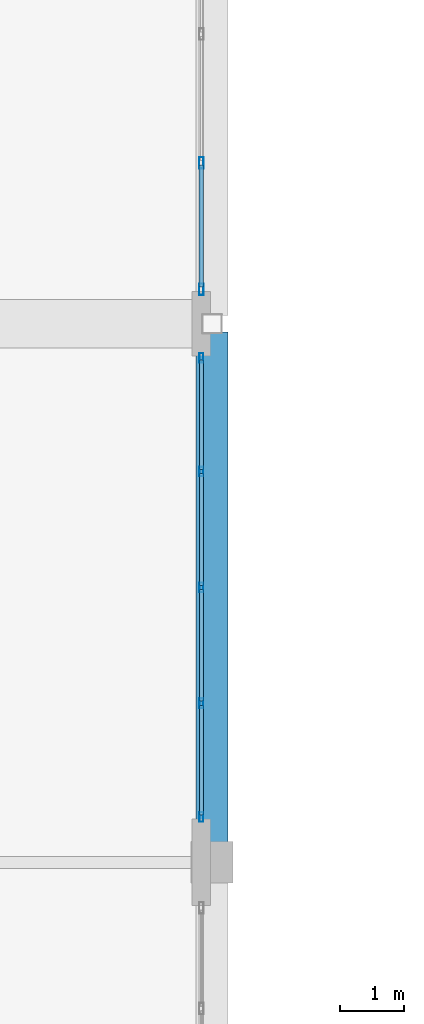
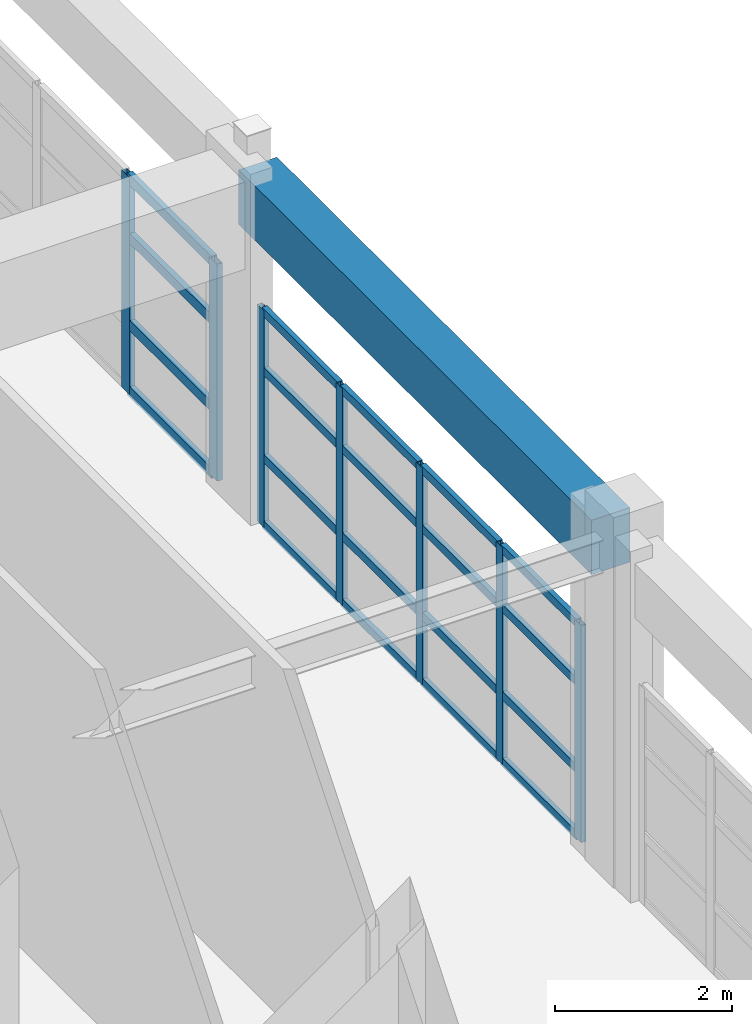
# One storey, part 21 of 78: 27 members, 1 beam, 2 elements without a shape of their own.
"""IFC4 building model written with IfcOpenShell, lengths in metres."""

from ifc_helpers import new_model, si_unit, direction, frame, origin, origin_2d, place, context, subcontext, project, spatial, rectangle, hollow_rectangle, extrude, material, layer, layer_set, material_profile, profile_set, type_object, element, aggregate, save


model = new_model("IFC4")

# Units and contexts
model_context = context("Model", 3, precision=1e-05, world=origin(), true_north=direction((0.0, 1.0)))
body_context = subcontext(model_context, "Body", "Model", "MODEL_VIEW")
ifc_project = project(units=[si_unit("LENGTHUNIT", "METRE"), si_unit("AREAUNIT", "SQUARE_METRE"), si_unit("VOLUMEUNIT", "CUBIC_METRE"), si_unit("PLANEANGLEUNIT", "RADIAN"), si_unit("MASSUNIT", "GRAM", prefix="KILO")], contexts=[model_context])

# Site, building, storey
site_placement = place(None, origin())
site = spatial("IfcSite", under=ifc_project, at=site_placement, CompositionType="ELEMENT")
building_placement = place(site_placement, origin())
building = spatial("IfcBuilding", under=site, at=building_placement, Name="Quendrovan Civic Courthouse", CompositionType="ELEMENT")
storey_placement = place(building_placement, frame((0.0, 0.0, 20.39990234375)))
storey = spatial("IfcBuildingStorey", under=building, at=storey_placement, Name="L05", CompositionType="ELEMENT", Elevation=20.39990234375)

# Beam
ifc_material_1 = material(Name="Concrete C40/50", Category="concrete")
ifc_material_profile_1 = material_profile(ifc_material_1, rectangle(XDim=0.5, YDim=0.75, at=origin_2d()), Name="RC-BM-500x750")
ifc_profile_set_1 = profile_set([ifc_material_profile_1], Name="Concrete C40/50")
beam_type = type_object("IfcBeamType", Name="BM-RC750", PredefinedType="SPANDREL", material=ifc_profile_set_1)
beam_placement = place(storey_placement, frame((16.800048828125, 65.10498046875, 4.28515625), z_axis=(0.0, 1.0, 0.0), x_axis=(-1.0, 0.0, 0.0)))
element("IfcBeam", 1, at=beam_placement, inside=storey, type_object=beam_type, Name="L05 Girder Y1070", PredefinedType="SPANDREL", context=body_context, shape_type="SweptSolid", body=[
    extrude(rectangle(XDim=0.5, YDim=0.75, at=origin_2d()), origin(), (0.0, 0.0, 1.0), 7.965087890625),
])

# Curtain wall, members
ifc_material_2 = material(Name="Bronze anodised aluminium and low-E glass", Category="aluminium")
ifc_layer_1 = layer(ifc_material_2, 0.179931640625, Name="Bronze anodised aluminium and low-E glass")
ifc_layer_set_1 = layer_set([ifc_layer_1], Name="Bronze anodised aluminium and low-E glass")
curtain_wall_type_1 = type_object("IfcCurtainWallType", Name="CW-U60x30", PredefinedType="USERDEFINED", material=ifc_layer_set_1)
curtain_wall_1_placement = place(storey_placement, origin())
curtain_wall_1 = element("IfcCurtainWall", 2, at=curtain_wall_1_placement, inside=storey, type_object=curtain_wall_type_1, Name="L05 Unitised Hurricane Curtain Wall CW-182", ObjectType="UNITISED CURTAIN WALL", PredefinedType="USERDEFINED")
ifc_material_3 = material(Name="Bronze anodised aluminium", Category="aluminium")
ifc_material_profile_2 = material_profile(ifc_material_3, hollow_rectangle(XDim=0.070068359375, YDim=0.179931640625, WallThickness=0.00390625, at=origin_2d()), Name="CW-MULL-70x180")
ifc_profile_set_2 = profile_set([ifc_material_profile_2], Name="Bronze anodised aluminium")
member_type_1 = type_object("IfcMemberType", Name="CW-MULL-A", PredefinedType="MULLION", material=ifc_profile_set_2)
member_1_placement = place(storey_placement, frame((16.635009765625, 75.708251953125, 0.0), z_axis=(0.0, 0.0, 1.0), x_axis=(1.0, 0.0, 0.0)))
member_1 = element("IfcMember", 3, at=member_1_placement, type_object=member_type_1, Name="CW-182 mullion 3", PredefinedType="MULLION", context=body_context, shape_type="SweptSolid", body=[
    extrude(hollow_rectangle(XDim=0.070068359375, YDim=0.179931640625, WallThickness=0.00390625, at=origin_2d()), origin(), (0.0, 0.0, 1.0), 2.989990234375),
])
member_2_placement = place(storey_placement, frame((16.635009765625, 73.735107421875, 0.0), z_axis=(0.0, 0.0, 1.0), x_axis=(1.0, 0.0, 0.0)))
member_2 = element("IfcMember", 4, at=member_2_placement, type_object=member_type_1, Name="CW-182 mullion 4", PredefinedType="MULLION", context=body_context, shape_type="SweptSolid", body=[
    extrude(hollow_rectangle(XDim=0.070068359375, YDim=0.179931640625, WallThickness=0.00390625, at=origin_2d()), origin(), (0.0, 0.0, 1.0), 2.989990234375),
])

ifc_layer_2 = layer(ifc_material_2, 0.179931640625, Name="Bronze anodised aluminium and low-E glass")
ifc_layer_set_2 = layer_set([ifc_layer_2], Name="Bronze anodised aluminium and low-E glass")
curtain_wall_type_2 = type_object("IfcCurtainWallType", Name="CW-U72x30", PredefinedType="USERDEFINED", material=ifc_layer_set_2)
curtain_wall_2_placement = place(storey_placement, origin())
curtain_wall_2 = element("IfcCurtainWall", 5, at=curtain_wall_2_placement, inside=storey, type_object=curtain_wall_type_2, Name="L05 Unitised Hurricane Curtain Wall CW-183", ObjectType="UNITISED CURTAIN WALL", PredefinedType="USERDEFINED")
ifc_material_profile_3 = material_profile(ifc_material_3, hollow_rectangle(XDim=0.06494140625, YDim=0.14990234375, WallThickness=0.00390625, at=origin_2d()), Name="CW-MULL-65x150")
ifc_profile_set_3 = profile_set([ifc_material_profile_3], Name="Bronze anodised aluminium")
member_type_2 = type_object("IfcMemberType", Name="CW-MULL-B", PredefinedType="MULLION", material=ifc_profile_set_3)
member_3_placement = place(storey_placement, frame((16.635009765625, 72.66748046875, 0.0), z_axis=(0.0, 0.0, 1.0), x_axis=(1.0, 0.0, 0.0)))
member_3 = element("IfcMember", 6, at=member_3_placement, type_object=member_type_2, Name="CW-183 mullion 1", PredefinedType="MULLION", context=body_context, shape_type="SweptSolid", body=[
    extrude(hollow_rectangle(XDim=0.06494140625, YDim=0.14990234375, WallThickness=0.00390625, at=origin_2d()), origin(), (0.0, 0.0, 1.0), 2.989990234375),
])
member_4_placement = place(storey_placement, frame((16.635009765625, 70.893798828125, 0.0), z_axis=(0.0, 0.0, 1.0), x_axis=(1.0, 0.0, 0.0)))
member_4 = element("IfcMember", 7, at=member_4_placement, type_object=member_type_2, Name="CW-183 mullion 2", PredefinedType="MULLION", context=body_context, shape_type="SweptSolid", body=[
    extrude(hollow_rectangle(XDim=0.06494140625, YDim=0.14990234375, WallThickness=0.00390625, at=origin_2d()), origin(), (0.0, 0.0, 1.0), 2.989990234375),
])
member_5_placement = place(storey_placement, frame((16.635009765625, 69.08740234375, 0.0), z_axis=(0.0, 0.0, 1.0), x_axis=(1.0, 0.0, 0.0)))
member_5 = element("IfcMember", 8, at=member_5_placement, type_object=member_type_2, Name="CW-183 mullion 3", PredefinedType="MULLION", context=body_context, shape_type="SweptSolid", body=[
    extrude(hollow_rectangle(XDim=0.06494140625, YDim=0.14990234375, WallThickness=0.00390625, at=origin_2d()), origin(), (0.0, 0.0, 1.0), 2.989990234375),
])
member_6_placement = place(storey_placement, frame((16.635009765625, 67.28125, 0.0), z_axis=(0.0, 0.0, 1.0), x_axis=(1.0, 0.0, 0.0)))
member_6 = element("IfcMember", 9, at=member_6_placement, type_object=member_type_2, Name="CW-183 mullion 4", PredefinedType="MULLION", context=body_context, shape_type="SweptSolid", body=[
    extrude(hollow_rectangle(XDim=0.06494140625, YDim=0.14990234375, WallThickness=0.00390625, at=origin_2d()), origin(), (0.0, 0.0, 1.0), 2.989990234375),
])
member_7_placement = place(storey_placement, frame((16.635009765625, 65.507568359375, 0.0), z_axis=(0.0, 0.0, 1.0), x_axis=(1.0, 0.0, 0.0)))
member_7 = element("IfcMember", 10, at=member_7_placement, type_object=member_type_2, Name="CW-183 mullion 5", PredefinedType="MULLION", context=body_context, shape_type="SweptSolid", body=[
    extrude(hollow_rectangle(XDim=0.06494140625, YDim=0.14990234375, WallThickness=0.00390625, at=origin_2d()), origin(), (0.0, 0.0, 1.0), 2.989990234375),
])

# Member
ifc_material_profile_4 = material_profile(ifc_material_3, hollow_rectangle(XDim=0.070068359375, YDim=0.139892578125, WallThickness=0.00390625, at=origin_2d()), Name="CW-TRAN-70x140")
ifc_profile_set_4 = profile_set([ifc_material_profile_4], Name="Bronze anodised aluminium")
member_type_3 = type_object("IfcMemberType", Name="CW-TRAN-A", PredefinedType="USERDEFINED", material=ifc_profile_set_4)
member_8_placement = place(storey_placement, frame((16.635009765625, 75.67333984375, 0.03515625), z_axis=(0.0, -1.0, 0.0), x_axis=(1.0, 0.0, 0.0)))
member_8 = element("IfcMember", 11, at=member_8_placement, type_object=member_type_3, Name="CW-182 transom 3.1", ObjectType="TRANSOM", PredefinedType="USERDEFINED", context=body_context, shape_type="SweptSolid", body=[
    extrude(hollow_rectangle(XDim=0.070068359375, YDim=0.139892578125, WallThickness=0.00390625, at=origin_2d()), origin(), (0.0, 0.0, 1.0), 1.9033203125),
])

member_9_placement = place(storey_placement, frame((16.635009765625, 75.67333984375, 0.9501953125), z_axis=(0.0, -1.0, 0.0), x_axis=(1.0, 0.0, 0.0)))
member_9 = element("IfcMember", 12, at=member_9_placement, type_object=member_type_3, Name="CW-182 transom 3.2", ObjectType="TRANSOM", PredefinedType="USERDEFINED", context=body_context, shape_type="SweptSolid", body=[
    extrude(hollow_rectangle(XDim=0.070068359375, YDim=0.139892578125, WallThickness=0.00390625, at=origin_2d()), origin(), (0.0, 0.0, 1.0), 1.9033203125),
])

member_10_placement = place(storey_placement, frame((16.635009765625, 75.67333984375, 2.150146484375), z_axis=(0.0, -1.0, 0.0), x_axis=(1.0, 0.0, 0.0)))
member_10 = element("IfcMember", 13, at=member_10_placement, type_object=member_type_3, Name="CW-182 transom 3.3", ObjectType="TRANSOM", PredefinedType="USERDEFINED", context=body_context, shape_type="SweptSolid", body=[
    extrude(hollow_rectangle(XDim=0.070068359375, YDim=0.139892578125, WallThickness=0.00390625, at=origin_2d()), origin(), (0.0, 0.0, 1.0), 1.9033203125),
])

member_11_placement = place(storey_placement, frame((16.635009765625, 75.67333984375, 2.955078125), z_axis=(0.0, -1.0, 0.0), x_axis=(1.0, 0.0, 0.0)))
member_11 = element("IfcMember", 14, at=member_11_placement, type_object=member_type_3, Name="CW-182 transom 3.4", ObjectType="TRANSOM", PredefinedType="USERDEFINED", context=body_context, shape_type="SweptSolid", body=[
    extrude(hollow_rectangle(XDim=0.070068359375, YDim=0.139892578125, WallThickness=0.00390625, at=origin_2d()), origin(), (0.0, 0.0, 1.0), 1.9033203125),
])

aggregate(curtain_wall_1, [member_1, member_2, member_8, member_9, member_10, member_11])

ifc_material_profile_5 = material_profile(ifc_material_3, hollow_rectangle(XDim=0.06494140625, YDim=0.114990234375, WallThickness=0.00390625, at=origin_2d()), Name="CW-TRAN-65x115")
ifc_profile_set_5 = profile_set([ifc_material_profile_5], Name="Bronze anodised aluminium")
member_type_4 = type_object("IfcMemberType", Name="CW-TRAN-B", PredefinedType="USERDEFINED", material=ifc_profile_set_5)
member_12_placement = place(storey_placement, frame((16.635009765625, 72.635009765625, 0.03271484375), z_axis=(0.0, -1.0, 0.0), x_axis=(1.0, 0.0, 0.0)))
member_12 = element("IfcMember", 15, at=member_12_placement, type_object=member_type_4, Name="CW-183 transom 1.1", ObjectType="TRANSOM", PredefinedType="USERDEFINED", context=body_context, shape_type="SweptSolid", body=[
    extrude(hollow_rectangle(XDim=0.06494140625, YDim=0.114990234375, WallThickness=0.00390625, at=origin_2d()), origin(), (0.0, 0.0, 1.0), 1.708740234375),
])

member_13_placement = place(storey_placement, frame((16.635009765625, 72.635009765625, 0.9501953125), z_axis=(0.0, -1.0, 0.0), x_axis=(1.0, 0.0, 0.0)))
member_13 = element("IfcMember", 16, at=member_13_placement, type_object=member_type_4, Name="CW-183 transom 1.2", ObjectType="TRANSOM", PredefinedType="USERDEFINED", context=body_context, shape_type="SweptSolid", body=[
    extrude(hollow_rectangle(XDim=0.06494140625, YDim=0.114990234375, WallThickness=0.00390625, at=origin_2d()), origin(), (0.0, 0.0, 1.0), 1.708740234375),
])

member_14_placement = place(storey_placement, frame((16.635009765625, 72.635009765625, 2.150146484375), z_axis=(0.0, -1.0, 0.0), x_axis=(1.0, 0.0, 0.0)))
member_14 = element("IfcMember", 17, at=member_14_placement, type_object=member_type_4, Name="CW-183 transom 1.3", ObjectType="TRANSOM", PredefinedType="USERDEFINED", context=body_context, shape_type="SweptSolid", body=[
    extrude(hollow_rectangle(XDim=0.06494140625, YDim=0.114990234375, WallThickness=0.00390625, at=origin_2d()), origin(), (0.0, 0.0, 1.0), 1.708740234375),
])

member_15_placement = place(storey_placement, frame((16.635009765625, 72.635009765625, 2.95751953125), z_axis=(0.0, -1.0, 0.0), x_axis=(1.0, 0.0, 0.0)))
member_15 = element("IfcMember", 18, at=member_15_placement, type_object=member_type_4, Name="CW-183 transom 1.4", ObjectType="TRANSOM", PredefinedType="USERDEFINED", context=body_context, shape_type="SweptSolid", body=[
    extrude(hollow_rectangle(XDim=0.06494140625, YDim=0.114990234375, WallThickness=0.00390625, at=origin_2d()), origin(), (0.0, 0.0, 1.0), 1.708740234375),
])

member_16_placement = place(storey_placement, frame((16.635009765625, 70.861328125, 0.03271484375), z_axis=(0.0, -1.0, 0.0), x_axis=(1.0, 0.0, 0.0)))
member_16 = element("IfcMember", 19, at=member_16_placement, type_object=member_type_4, Name="CW-183 transom 2.1", ObjectType="TRANSOM", PredefinedType="USERDEFINED", context=body_context, shape_type="SweptSolid", body=[
    extrude(hollow_rectangle(XDim=0.06494140625, YDim=0.114990234375, WallThickness=0.00390625, at=origin_2d()), origin(), (0.0, 0.0, 1.0), 1.7412109375),
])

member_17_placement = place(storey_placement, frame((16.635009765625, 70.861328125, 0.9501953125), z_axis=(0.0, -1.0, 0.0), x_axis=(1.0, 0.0, 0.0)))
member_17 = element("IfcMember", 20, at=member_17_placement, type_object=member_type_4, Name="CW-183 transom 2.2", ObjectType="TRANSOM", PredefinedType="USERDEFINED", context=body_context, shape_type="SweptSolid", body=[
    extrude(hollow_rectangle(XDim=0.06494140625, YDim=0.114990234375, WallThickness=0.00390625, at=origin_2d()), origin(), (0.0, 0.0, 1.0), 1.7412109375),
])

member_18_placement = place(storey_placement, frame((16.635009765625, 70.861328125, 2.150146484375), z_axis=(0.0, -1.0, 0.0), x_axis=(1.0, 0.0, 0.0)))
member_18 = element("IfcMember", 21, at=member_18_placement, type_object=member_type_4, Name="CW-183 transom 2.3", ObjectType="TRANSOM", PredefinedType="USERDEFINED", context=body_context, shape_type="SweptSolid", body=[
    extrude(hollow_rectangle(XDim=0.06494140625, YDim=0.114990234375, WallThickness=0.00390625, at=origin_2d()), origin(), (0.0, 0.0, 1.0), 1.7412109375),
])

member_19_placement = place(storey_placement, frame((16.635009765625, 70.861328125, 2.95751953125), z_axis=(0.0, -1.0, 0.0), x_axis=(1.0, 0.0, 0.0)))
member_19 = element("IfcMember", 22, at=member_19_placement, type_object=member_type_4, Name="CW-183 transom 2.4", ObjectType="TRANSOM", PredefinedType="USERDEFINED", context=body_context, shape_type="SweptSolid", body=[
    extrude(hollow_rectangle(XDim=0.06494140625, YDim=0.114990234375, WallThickness=0.00390625, at=origin_2d()), origin(), (0.0, 0.0, 1.0), 1.7412109375),
])

member_20_placement = place(storey_placement, frame((16.635009765625, 69.054931640625, 0.03271484375), z_axis=(0.0, -1.0, 0.0), x_axis=(1.0, 0.0, 0.0)))
member_20 = element("IfcMember", 23, at=member_20_placement, type_object=member_type_4, Name="CW-183 transom 3.1", ObjectType="TRANSOM", PredefinedType="USERDEFINED", context=body_context, shape_type="SweptSolid", body=[
    extrude(hollow_rectangle(XDim=0.06494140625, YDim=0.114990234375, WallThickness=0.00390625, at=origin_2d()), origin(), (0.0, 0.0, 1.0), 1.7412109375),
])

member_21_placement = place(storey_placement, frame((16.635009765625, 69.054931640625, 0.9501953125), z_axis=(0.0, -1.0, 0.0), x_axis=(1.0, 0.0, 0.0)))
member_21 = element("IfcMember", 24, at=member_21_placement, type_object=member_type_4, Name="CW-183 transom 3.2", ObjectType="TRANSOM", PredefinedType="USERDEFINED", context=body_context, shape_type="SweptSolid", body=[
    extrude(hollow_rectangle(XDim=0.06494140625, YDim=0.114990234375, WallThickness=0.00390625, at=origin_2d()), origin(), (0.0, 0.0, 1.0), 1.7412109375),
])

member_22_placement = place(storey_placement, frame((16.635009765625, 69.054931640625, 2.150146484375), z_axis=(0.0, -1.0, 0.0), x_axis=(1.0, 0.0, 0.0)))
member_22 = element("IfcMember", 25, at=member_22_placement, type_object=member_type_4, Name="CW-183 transom 3.3", ObjectType="TRANSOM", PredefinedType="USERDEFINED", context=body_context, shape_type="SweptSolid", body=[
    extrude(hollow_rectangle(XDim=0.06494140625, YDim=0.114990234375, WallThickness=0.00390625, at=origin_2d()), origin(), (0.0, 0.0, 1.0), 1.7412109375),
])

member_23_placement = place(storey_placement, frame((16.635009765625, 69.054931640625, 2.95751953125), z_axis=(0.0, -1.0, 0.0), x_axis=(1.0, 0.0, 0.0)))
member_23 = element("IfcMember", 26, at=member_23_placement, type_object=member_type_4, Name="CW-183 transom 3.4", ObjectType="TRANSOM", PredefinedType="USERDEFINED", context=body_context, shape_type="SweptSolid", body=[
    extrude(hollow_rectangle(XDim=0.06494140625, YDim=0.114990234375, WallThickness=0.00390625, at=origin_2d()), origin(), (0.0, 0.0, 1.0), 1.7412109375),
])

member_24_placement = place(storey_placement, frame((16.635009765625, 67.248779296875, 0.03271484375), z_axis=(0.0, -1.0, 0.0), x_axis=(1.0, 0.0, 0.0)))
member_24 = element("IfcMember", 27, at=member_24_placement, type_object=member_type_4, Name="CW-183 transom 4.1", ObjectType="TRANSOM", PredefinedType="USERDEFINED", context=body_context, shape_type="SweptSolid", body=[
    extrude(hollow_rectangle(XDim=0.06494140625, YDim=0.114990234375, WallThickness=0.00390625, at=origin_2d()), origin(), (0.0, 0.0, 1.0), 1.708740234375),
])

member_25_placement = place(storey_placement, frame((16.635009765625, 67.248779296875, 0.9501953125), z_axis=(0.0, -1.0, 0.0), x_axis=(1.0, 0.0, 0.0)))
member_25 = element("IfcMember", 28, at=member_25_placement, type_object=member_type_4, Name="CW-183 transom 4.2", ObjectType="TRANSOM", PredefinedType="USERDEFINED", context=body_context, shape_type="SweptSolid", body=[
    extrude(hollow_rectangle(XDim=0.06494140625, YDim=0.114990234375, WallThickness=0.00390625, at=origin_2d()), origin(), (0.0, 0.0, 1.0), 1.708740234375),
])

member_26_placement = place(storey_placement, frame((16.635009765625, 67.248779296875, 2.150146484375), z_axis=(0.0, -1.0, 0.0), x_axis=(1.0, 0.0, 0.0)))
member_26 = element("IfcMember", 29, at=member_26_placement, type_object=member_type_4, Name="CW-183 transom 4.3", ObjectType="TRANSOM", PredefinedType="USERDEFINED", context=body_context, shape_type="SweptSolid", body=[
    extrude(hollow_rectangle(XDim=0.06494140625, YDim=0.114990234375, WallThickness=0.00390625, at=origin_2d()), origin(), (0.0, 0.0, 1.0), 1.708740234375),
])

member_27_placement = place(storey_placement, frame((16.635009765625, 67.248779296875, 2.95751953125), z_axis=(0.0, -1.0, 0.0), x_axis=(1.0, 0.0, 0.0)))
member_27 = element("IfcMember", 30, at=member_27_placement, type_object=member_type_4, Name="CW-183 transom 4.4", ObjectType="TRANSOM", PredefinedType="USERDEFINED", context=body_context, shape_type="SweptSolid", body=[
    extrude(hollow_rectangle(XDim=0.06494140625, YDim=0.114990234375, WallThickness=0.00390625, at=origin_2d()), origin(), (0.0, 0.0, 1.0), 1.708740234375),
])

aggregate(curtain_wall_2, [member_3, member_4, member_5, member_6, member_7, member_12, member_13, member_14, member_15, member_16, member_17, member_18, member_19, member_20, member_21, member_22, member_23, member_24, member_25, member_26, member_27])

save(model, "model.ifc")
